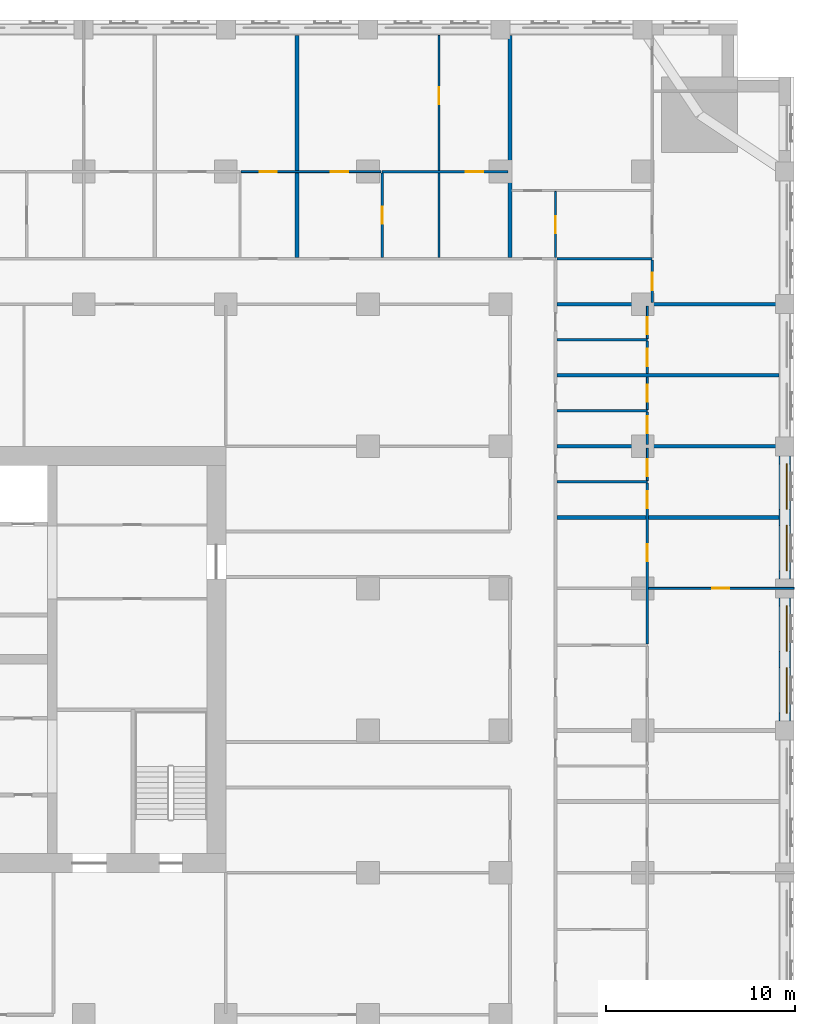
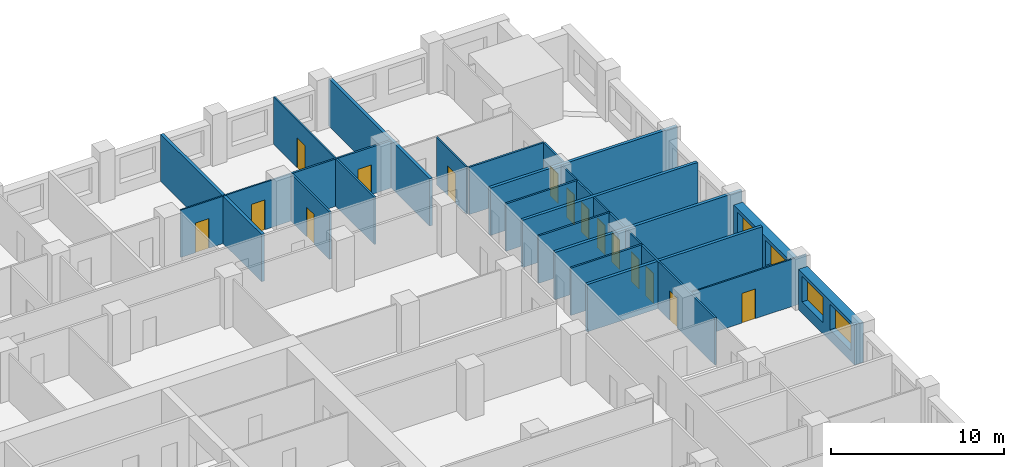
# One storey, part 10 of 14: 26 walls, 15 doors, 4 windows, 19 openings.
"""IFC4 building model written with IfcOpenShell, lengths in metres."""

from ifc_helpers import new_model, si_unit, direction, frame, frame_2d, origin, place, context, subcontext, project, spatial, rectangle, extrude, material, layer, layer_set, type_object, element, fill, save


model = new_model("IFC4")

# Units and contexts
model_context = context("Model", 3, precision=1e-05, world=origin(), true_north=direction((0.0, 1.0)))
body_context = subcontext(model_context, "Body", "Model", "MODEL_VIEW")
ifc_project = project(units=[si_unit("LENGTHUNIT", "METRE"), si_unit("AREAUNIT", "SQUARE_METRE"), si_unit("VOLUMEUNIT", "CUBIC_METRE"), si_unit("PLANEANGLEUNIT", "RADIAN"), si_unit("MASSUNIT", "GRAM", prefix="KILO")], contexts=[model_context])

# Site, building, storey
site_placement = place(None, origin())
site = spatial("IfcSite", under=ifc_project, at=site_placement, CompositionType="ELEMENT")
building_placement = place(site_placement, origin())
building = spatial("IfcBuilding", under=site, at=building_placement, Name="Tamorin Gate", CompositionType="ELEMENT")
storey_placement = place(building_placement, frame((0.0, 0.0, 41.199951171875)))
storey = spatial("IfcBuildingStorey", under=building, at=storey_placement, Name="L08", CompositionType="ELEMENT", Elevation=41.199951171875)

# Wall, openings, windows
ifc_material_1 = material(Name="Precast concrete C40/50", Category="concrete")
ifc_layer_1 = layer(ifc_material_1, 0.60009765625)
ifc_layer_set_1 = layer_set([ifc_layer_1], Name="Precast concrete C40/50")
wall_type_1 = type_object("IfcWallType", Name="Board-marked concrete facade panel 600", PredefinedType="SOLIDWALL", material=ifc_layer_set_1)
wall_1_placement = place(storey_placement, frame((89.5, 68.0, 0.0), z_axis=(0.0, 0.0, 1.0), x_axis=(0.0, 1.0, 0.0)))
wall_1 = element("IfcWall", 1, at=wall_1_placement, inside=storey, type_object=wall_type_1, Name="Facade panel", PredefinedType="SOLIDWALL", context=body_context, shape_type="SweptSolid", body=[
    extrude(rectangle(XDim=6.5, YDim=0.60009765625, at=frame_2d((3.25, 0.0))), origin(), (0.0, 0.0, 1.0), 2.85009765625),
])
opening_1_placement = place(wall_1_placement, frame((0.425048828125, 0.0, 0.800048828125)))
opening_1 = element("IfcOpeningElement", 2, at=opening_1_placement, cuts=wall_1, Name="Opening WN1", PredefinedType="OPENING", context=body_context, shape_type="SweptSolid", body=[
    extrude(rectangle(XDim=2.39990234375, YDim=1.800048828125, at=frame_2d((1.199951171875, 0.89990234375))), frame((0.0, 0.31005859375, 0.0), z_axis=(0.0, -1.0, 0.0), x_axis=(1.0, 0.0, 0.0)), (0.0, 0.0, 1.0), 0.6201171875),
])
opening_2_placement = place(wall_1_placement, frame((3.675048828125, 0.0, 0.800048828125)))
opening_2 = element("IfcOpeningElement", 3, at=opening_2_placement, cuts=wall_1, Name="Opening WN1", PredefinedType="OPENING", context=body_context, shape_type="SweptSolid", body=[
    extrude(rectangle(XDim=2.39990234375, YDim=1.800048828125, at=frame_2d((1.199951171875, 0.89990234375))), frame((0.0, 0.31005859375, 0.0), z_axis=(0.0, -1.0, 0.0), x_axis=(1.0, 0.0, 0.0)), (0.0, 0.0, 1.0), 0.6201171875),
])
ifc_material_2 = material(Name="Clear glass in aluminium frame", Category="aluminium")
window_type = type_object("IfcWindowType", Name="Deep-set window 2400x1800", PartitioningType="SINGLE_PANEL", PredefinedType="WINDOW", material=ifc_material_2)
window_1_placement = place(opening_1_placement, origin())
window_1 = element("IfcWindow", 4, at=window_1_placement, inside=storey, type_object=window_type, Name="Deep-set window", OverallHeight=1.800048828125, OverallWidth=2.39990234375, PartitioningType="SINGLE_PANEL", PredefinedType="WINDOW", context=body_context, shape_type="SweptSolid", body=[
    extrude(rectangle(XDim=2.39990234375, YDim=1.800048828125, at=frame_2d((1.199951171875, 0.89990234375))), frame((0.0, -0.070068359375, 0.0), z_axis=(0.0, -1.0, 0.0), x_axis=(1.0, 0.0, 0.0)), (0.0, 0.0, 1.0), 0.06005859375),
])
fill(opening_1, window_1)
window_2_placement = place(opening_2_placement, origin())
window_2 = element("IfcWindow", 5, at=window_2_placement, inside=storey, type_object=window_type, Name="Deep-set window", OverallHeight=1.800048828125, OverallWidth=2.39990234375, PartitioningType="SINGLE_PANEL", PredefinedType="WINDOW", context=body_context, shape_type="SweptSolid", body=[
    extrude(rectangle(XDim=2.39990234375, YDim=1.800048828125, at=frame_2d((1.199951171875, 0.89990234375))), frame((0.0, -0.070068359375, 0.0), z_axis=(0.0, -1.0, 0.0), x_axis=(1.0, 0.0, 0.0)), (0.0, 0.0, 1.0), 0.06005859375),
])
fill(opening_2, window_2)

wall_2_placement = place(storey_placement, frame((89.5, 75.5, 0.0), z_axis=(0.0, 0.0, 1.0), x_axis=(0.0, 1.0, 0.0)))
wall_2 = element("IfcWall", 6, at=wall_2_placement, inside=storey, type_object=wall_type_1, Name="Facade panel", PredefinedType="SOLIDWALL", context=body_context, shape_type="SweptSolid", body=[
    extrude(rectangle(XDim=6.5, YDim=0.60009765625, at=frame_2d((3.25, 0.0))), origin(), (0.0, 0.0, 1.0), 2.85009765625),
])
opening_3_placement = place(wall_2_placement, frame((0.425048828125, 0.0, 0.800048828125)))
opening_3 = element("IfcOpeningElement", 7, at=opening_3_placement, cuts=wall_2, Name="Opening WN1", PredefinedType="OPENING", context=body_context, shape_type="SweptSolid", body=[
    extrude(rectangle(XDim=2.39990234375, YDim=1.800048828125, at=frame_2d((1.199951171875, 0.89990234375))), frame((0.0, 0.31005859375, 0.0), z_axis=(0.0, -1.0, 0.0), x_axis=(1.0, 0.0, 0.0)), (0.0, 0.0, 1.0), 0.6201171875),
])
opening_4_placement = place(wall_2_placement, frame((3.675048828125, 0.0, 0.800048828125)))
opening_4 = element("IfcOpeningElement", 8, at=opening_4_placement, cuts=wall_2, Name="Opening WN1", PredefinedType="OPENING", context=body_context, shape_type="SweptSolid", body=[
    extrude(rectangle(XDim=2.39990234375, YDim=1.800048828125, at=frame_2d((1.199951171875, 0.89990234375))), frame((0.0, 0.31005859375, 0.0), z_axis=(0.0, -1.0, 0.0), x_axis=(1.0, 0.0, 0.0)), (0.0, 0.0, 1.0), 0.6201171875),
])
window_3_placement = place(opening_3_placement, origin())
window_3 = element("IfcWindow", 9, at=window_3_placement, inside=storey, type_object=window_type, Name="Deep-set window", OverallHeight=1.800048828125, OverallWidth=2.39990234375, PartitioningType="SINGLE_PANEL", PredefinedType="WINDOW", context=body_context, shape_type="SweptSolid", body=[
    extrude(rectangle(XDim=2.39990234375, YDim=1.800048828125, at=frame_2d((1.199951171875, 0.89990234375))), frame((0.0, -0.070068359375, 0.0), z_axis=(0.0, -1.0, 0.0), x_axis=(1.0, 0.0, 0.0)), (0.0, 0.0, 1.0), 0.06005859375),
])
fill(opening_3, window_3)
window_4_placement = place(opening_4_placement, origin())
window_4 = element("IfcWindow", 10, at=window_4_placement, inside=storey, type_object=window_type, Name="Deep-set window", OverallHeight=1.800048828125, OverallWidth=2.39990234375, PartitioningType="SINGLE_PANEL", PredefinedType="WINDOW", context=body_context, shape_type="SweptSolid", body=[
    extrude(rectangle(XDim=2.39990234375, YDim=1.800048828125, at=frame_2d((1.199951171875, 0.89990234375))), frame((0.0, -0.070068359375, 0.0), z_axis=(0.0, -1.0, 0.0), x_axis=(1.0, 0.0, 0.0)), (0.0, 0.0, 1.0), 0.06005859375),
])
fill(opening_4, window_4)

# Walls
ifc_material_3 = material(Name="Gypsum board partition")
ifc_layer_2 = layer(ifc_material_3, 0.199951171875)
ifc_layer_set_2 = layer_set([ifc_layer_2], Name="Demising wall 200")
wall_type_2 = type_object("IfcWallType", Name="Demising wall 200", PredefinedType="PARTITIONING", material=ifc_layer_set_2)
wall_3_placement = place(storey_placement, frame((77.47509765625, 78.75, 0.0), z_axis=(0.0, 0.0, 1.0), x_axis=(1.0, 0.0, 0.0)))
element("IfcWall", 11, at=wall_3_placement, inside=storey, type_object=wall_type_2, Name="Demising wall 200", PredefinedType="PARTITIONING", context=body_context, shape_type="SweptSolid", body=[
    extrude(rectangle(XDim=11.71484375, YDim=0.199951171875, at=frame_2d((5.857421875, 0.0))), origin(), (0.0, 0.0, 1.0), 3.35009765625),
])
wall_4_placement = place(storey_placement, frame((77.47509765625, 82.5, 0.0), z_axis=(0.0, 0.0, 1.0), x_axis=(1.0, 0.0, 0.0)))
element("IfcWall", 12, at=wall_4_placement, inside=storey, type_object=wall_type_2, Name="Demising wall 200", PredefinedType="PARTITIONING", context=body_context, shape_type="SweptSolid", body=[
    extrude(rectangle(XDim=12.52490234375, YDim=0.199951171875, at=frame_2d((6.262451171875, 0.0))), origin(), (0.0, 0.0, 1.0), 3.35009765625),
])
wall_5_placement = place(storey_placement, frame((77.47509765625, 86.25, 0.0), z_axis=(0.0, 0.0, 1.0), x_axis=(1.0, 0.0, 0.0)))
element("IfcWall", 13, at=wall_5_placement, inside=storey, type_object=wall_type_2, Name="Demising wall 200", PredefinedType="PARTITIONING", context=body_context, shape_type="SweptSolid", body=[
    extrude(rectangle(XDim=11.71484375, YDim=0.199951171875, at=frame_2d((5.857421875, 0.0))), origin(), (0.0, 0.0, 1.0), 3.35009765625),
])
wall_6_placement = place(storey_placement, frame((77.47509765625, 90.0, 0.0), z_axis=(0.0, 0.0, 1.0), x_axis=(1.0, 0.0, 0.0)))
element("IfcWall", 14, at=wall_6_placement, inside=storey, type_object=wall_type_2, Name="Demising wall 200", PredefinedType="PARTITIONING", context=body_context, shape_type="SweptSolid", body=[
    extrude(rectangle(XDim=12.52490234375, YDim=0.199951171875, at=frame_2d((6.262451171875, 0.0))), origin(), (0.0, 0.0, 1.0), 3.35009765625),
])
for number, where, z_axis, x_axis, name in (
    (15, (63.75, 92.47509765625, 0.0), (0.0, 0.0, 1.0), (0.0, 1.0, 0.0), "Demising wall 200"),
    (16, (75.0, 92.47509765625, 0.0), (0.0, 0.0, 1.0), (0.0, 1.0, 0.0), "Demising wall 200"),
):
    element("IfcWall", number, at=place(storey_placement, frame(where, z_axis=z_axis, x_axis=x_axis)), inside=storey, type_object=wall_type_2, Name=name, PredefinedType="PARTITIONING", context=body_context, shape_type="SweptSolid", body=[
        extrude(rectangle(XDim=11.71484375, YDim=0.199951171875, at=frame_2d((5.857421875, 0.0))), origin(), (0.0, 0.0, 1.0), 3.35009765625),
    ])

# Wall, opening, door
ifc_layer_3 = layer(ifc_material_3, 0.10009765625)
ifc_layer_set_3 = layer_set([ifc_layer_3], Name="Room partition 100")
wall_type_3 = type_object("IfcWallType", Name="Room partition 100", PredefinedType="PARTITIONING", material=ifc_layer_set_3)
wall_7_placement = place(storey_placement, frame((82.3125, 75.0, 0.0), z_axis=(0.0, 0.0, 1.0), x_axis=(1.0, 0.0, 0.0)))
wall_7 = element("IfcWall", 17, at=wall_7_placement, inside=storey, type_object=wall_type_3, Name="Room partition 100", PredefinedType="PARTITIONING", context=body_context, shape_type="SweptSolid", body=[
    extrude(rectangle(XDim=7.6875, YDim=0.10009765625, at=frame_2d((3.84375, 0.0))), origin(), (0.0, 0.0, 1.0), 3.35009765625),
])
opening_5_placement = place(wall_7_placement, frame((3.362548828125, 0.0, 0.0)))
opening_5 = element("IfcOpeningElement", 18, at=opening_5_placement, cuts=wall_7, Name="Opening DH3051", PredefinedType="OPENING", context=body_context, shape_type="SweptSolid", body=[
    extrude(rectangle(XDim=0.89990234375, YDim=2.10009765625, at=frame_2d((0.449951171875, 1.050048828125))), frame((0.0, 0.06005859375, 0.0), z_axis=(0.0, -1.0, 0.0), x_axis=(1.0, 0.0, 0.0)), (0.0, 0.0, 1.0), 0.1201171875),
])
ifc_material_4 = material(Name="Timber door leaf", Category="wood")
door_type = type_object("IfcDoorType", Name="Door 900 x 2100", OperationType="NOTDEFINED", PredefinedType="DOOR", material=ifc_material_4)
door_1_placement = place(opening_5_placement, origin())
door_1 = element("IfcDoor", 19, at=door_1_placement, inside=storey, type_object=door_type, Name="Door DH3051", OperationType="SINGLE_SWING_RIGHT", OverallHeight=2.10009765625, OverallWidth=0.89990234375, PredefinedType="DOOR", context=body_context, shape_type="SweptSolid", body=[
    extrude(rectangle(XDim=0.89990234375, YDim=2.10009765625, at=frame_2d((0.449951171875, 1.050048828125))), frame((0.0, 0.02490234375, 0.0), z_axis=(0.0, -1.0, 0.0), x_axis=(1.0, 0.0, 0.0)), (0.0, 0.0, 1.0), 0.050048828125),
])
fill(opening_5, door_1)

# Wall, openings, doors
wall_8_placement = place(storey_placement, frame((60.8125, 97.0, 0.0), z_axis=(0.0, 0.0, 1.0), x_axis=(1.0, 0.0, 0.0)))
wall_8 = element("IfcWall", 20, at=wall_8_placement, inside=storey, type_object=wall_type_3, Name="Room partition 100", PredefinedType="PARTITIONING", context=body_context, shape_type="SweptSolid", body=[
    extrude(rectangle(XDim=7.375, YDim=0.10009765625, at=frame_2d((3.6875, 0.0))), origin(), (0.0, 0.0, 1.0), 3.35009765625),
])
opening_6_placement = place(wall_8_placement, frame((0.987548828125, 0.0, 0.0)))
opening_6 = element("IfcOpeningElement", 21, at=opening_6_placement, cuts=wall_8, Name="Opening DH3033", PredefinedType="OPENING", context=body_context, shape_type="SweptSolid", body=[
    extrude(rectangle(XDim=0.89990234375, YDim=2.10009765625, at=frame_2d((0.449951171875, 1.050048828125))), frame((0.0, 0.06005859375, 0.0), z_axis=(0.0, -1.0, 0.0), x_axis=(1.0, 0.0, 0.0)), (0.0, 0.0, 1.0), 0.1201171875),
])
opening_7_placement = place(wall_8_placement, frame((4.737548828125, 0.0, 0.0)))
opening_7 = element("IfcOpeningElement", 22, at=opening_7_placement, cuts=wall_8, Name="Opening DH3035", PredefinedType="OPENING", context=body_context, shape_type="SweptSolid", body=[
    extrude(rectangle(XDim=0.89990234375, YDim=2.10009765625, at=frame_2d((0.449951171875, 1.050048828125))), frame((0.0, 0.06005859375, 0.0), z_axis=(0.0, -1.0, 0.0), x_axis=(1.0, 0.0, 0.0)), (0.0, 0.0, 1.0), 0.1201171875),
])
door_2_placement = place(opening_6_placement, origin())
door_2 = element("IfcDoor", 23, at=door_2_placement, inside=storey, type_object=door_type, Name="Door DH3033", OperationType="SINGLE_SWING_RIGHT", OverallHeight=2.10009765625, OverallWidth=0.89990234375, PredefinedType="DOOR", context=body_context, shape_type="SweptSolid", body=[
    extrude(rectangle(XDim=0.89990234375, YDim=2.10009765625, at=frame_2d((0.449951171875, 1.050048828125))), frame((0.0, 0.02490234375, 0.0), z_axis=(0.0, -1.0, 0.0), x_axis=(1.0, 0.0, 0.0)), (0.0, 0.0, 1.0), 0.050048828125),
])
fill(opening_6, door_2)
door_3_placement = place(opening_7_placement, origin())
door_3 = element("IfcDoor", 24, at=door_3_placement, inside=storey, type_object=door_type, Name="Door DH3035", OperationType="SINGLE_SWING_RIGHT", OverallHeight=2.10009765625, OverallWidth=0.89990234375, PredefinedType="DOOR", context=body_context, shape_type="SweptSolid", body=[
    extrude(rectangle(XDim=0.89990234375, YDim=2.10009765625, at=frame_2d((0.449951171875, 1.050048828125))), frame((0.0, 0.02490234375, 0.0), z_axis=(0.0, -1.0, 0.0), x_axis=(1.0, 0.0, 0.0)), (0.0, 0.0, 1.0), 0.050048828125),
])
fill(opening_7, door_3)

# Wall, opening, door
wall_9_placement = place(storey_placement, frame((71.25, 97.0625, 0.0), z_axis=(0.0, 0.0, 1.0), x_axis=(0.0, 1.0, 0.0)))
wall_9 = element("IfcWall", 25, at=wall_9_placement, inside=storey, type_object=wall_type_3, Name="Room partition 100", PredefinedType="PARTITIONING", context=body_context, shape_type="SweptSolid", body=[
    extrude(rectangle(XDim=7.12744140625, YDim=0.10009765625, at=frame_2d((3.563720703125, 0.0))), origin(), (0.0, 0.0, 1.0), 3.35009765625),
])
opening_8_placement = place(wall_9_placement, frame((3.487548828125, 0.0, 0.0)))
opening_8 = element("IfcOpeningElement", 26, at=opening_8_placement, cuts=wall_9, Name="Opening DH3038", PredefinedType="OPENING", context=body_context, shape_type="SweptSolid", body=[
    extrude(rectangle(XDim=0.89990234375, YDim=2.10009765625, at=frame_2d((0.449951171875, 1.050048828125))), frame((0.0, 0.06005859375, 0.0), z_axis=(0.0, -1.0, 0.0), x_axis=(1.0, 0.0, 0.0)), (0.0, 0.0, 1.0), 0.1201171875),
])
door_4_placement = place(opening_8_placement, origin())
door_4 = element("IfcDoor", 27, at=door_4_placement, inside=storey, type_object=door_type, Name="Door DH3038", OperationType="SINGLE_SWING_LEFT", OverallHeight=2.10009765625, OverallWidth=0.89990234375, PredefinedType="DOOR", context=body_context, shape_type="SweptSolid", body=[
    extrude(rectangle(XDim=0.89990234375, YDim=2.10009765625, at=frame_2d((0.449951171875, 1.050048828125))), frame((0.0, 0.02490234375, 0.0), z_axis=(0.0, -1.0, 0.0), x_axis=(1.0, 0.0, 0.0)), (0.0, 0.0, 1.0), 0.050048828125),
])
fill(opening_8, door_4)

wall_10_placement = place(storey_placement, frame((77.39990234375, 92.47509765625, 0.0), z_axis=(0.0, 0.0, 1.0), x_axis=(0.0, 1.0, 0.0)))
wall_10 = element("IfcWall", 28, at=wall_10_placement, inside=storey, type_object=wall_type_3, Name="Room partition 100", PredefinedType="PARTITIONING", context=body_context, shape_type="SweptSolid", body=[
    extrude(rectangle(XDim=3.474853515625, YDim=0.10009765625, at=frame_2d((1.7373046875, 0.0))), origin(), (0.0, 0.0, 1.0), 3.35009765625),
])
opening_9_placement = place(wall_10_placement, frame((1.27490234375, 0.0, 0.0)))
opening_9 = element("IfcOpeningElement", 29, at=opening_9_placement, cuts=wall_10, Name="Opening DH3069", PredefinedType="OPENING", context=body_context, shape_type="SweptSolid", body=[
    extrude(rectangle(XDim=0.89990234375, YDim=2.10009765625, at=frame_2d((0.449951171875, 1.050048828125))), frame((0.0, 0.06005859375, 0.0), z_axis=(0.0, -1.0, 0.0), x_axis=(1.0, 0.0, 0.0)), (0.0, 0.0, 1.0), 0.1201171875),
])
door_5_placement = place(opening_9_placement, origin())
door_5 = element("IfcDoor", 30, at=door_5_placement, inside=storey, type_object=door_type, Name="Door DH3069", OperationType="SINGLE_SWING_RIGHT", OverallHeight=2.10009765625, OverallWidth=0.89990234375, PredefinedType="DOOR", context=body_context, shape_type="SweptSolid", body=[
    extrude(rectangle(XDim=0.89990234375, YDim=2.10009765625, at=frame_2d((0.449951171875, 1.050048828125))), frame((0.0, 0.02490234375, 0.0), z_axis=(0.0, -1.0, 0.0), x_axis=(1.0, 0.0, 0.0)), (0.0, 0.0, 1.0), 0.050048828125),
])
fill(opening_9, door_5)

wall_11_placement = place(storey_placement, frame((82.25, 80.6875, 0.0), z_axis=(0.0, 0.0, 1.0), x_axis=(0.0, 1.0, 0.0)))
wall_11 = element("IfcWall", 31, at=wall_11_placement, inside=storey, type_object=wall_type_3, Name="Room partition 100", PredefinedType="PARTITIONING", context=body_context, shape_type="SweptSolid", body=[
    extrude(rectangle(XDim=1.71240234375, YDim=0.10009765625, at=frame_2d((0.856201171875, 0.0))), origin(), (0.0, 0.0, 1.0), 3.35009765625),
])
opening_10_placement = place(wall_11_placement, frame((0.22509765625, 0.0, 0.0)))
opening_10 = element("IfcOpeningElement", 32, at=opening_10_placement, cuts=wall_11, Name="Opening DH3054", PredefinedType="OPENING", context=body_context, shape_type="SweptSolid", body=[
    extrude(rectangle(XDim=0.89990234375, YDim=2.10009765625, at=frame_2d((0.449951171875, 1.050048828125))), frame((0.0, 0.06005859375, 0.0), z_axis=(0.0, -1.0, 0.0), x_axis=(1.0, 0.0, 0.0)), (0.0, 0.0, 1.0), 0.1201171875),
])
door_6_placement = place(opening_10_placement, origin())
door_6 = element("IfcDoor", 33, at=door_6_placement, inside=storey, type_object=door_type, Name="Door DH3054", OperationType="SINGLE_SWING_LEFT", OverallHeight=2.10009765625, OverallWidth=0.89990234375, PredefinedType="DOOR", context=body_context, shape_type="SweptSolid", body=[
    extrude(rectangle(XDim=0.89990234375, YDim=2.10009765625, at=frame_2d((0.449951171875, 1.050048828125))), frame((0.0, 0.02490234375, 0.0), z_axis=(0.0, -1.0, 0.0), x_axis=(1.0, 0.0, 0.0)), (0.0, 0.0, 1.0), 0.050048828125),
])
fill(opening_10, door_6)

wall_12_placement = place(storey_placement, frame((82.25, 84.4375, 0.0), z_axis=(0.0, 0.0, 1.0), x_axis=(0.0, 1.0, 0.0)))
wall_12 = element("IfcWall", 34, at=wall_12_placement, inside=storey, type_object=wall_type_3, Name="Room partition 100", PredefinedType="PARTITIONING", context=body_context, shape_type="SweptSolid", body=[
    extrude(rectangle(XDim=1.71240234375, YDim=0.10009765625, at=frame_2d((0.856201171875, 0.0))), origin(), (0.0, 0.0, 1.0), 3.35009765625),
])
opening_11_placement = place(wall_12_placement, frame((0.425048828125, 0.0, 0.0)))
opening_11 = element("IfcOpeningElement", 35, at=opening_11_placement, cuts=wall_12, Name="Opening DH3057", PredefinedType="OPENING", context=body_context, shape_type="SweptSolid", body=[
    extrude(rectangle(XDim=0.89990234375, YDim=2.10009765625, at=frame_2d((0.449951171875, 1.050048828125))), frame((0.0, 0.06005859375, 0.0), z_axis=(0.0, -1.0, 0.0), x_axis=(1.0, 0.0, 0.0)), (0.0, 0.0, 1.0), 0.1201171875),
])
door_7_placement = place(opening_11_placement, origin())
door_7 = element("IfcDoor", 36, at=door_7_placement, inside=storey, type_object=door_type, Name="Door DH3057", OperationType="SINGLE_SWING_LEFT", OverallHeight=2.10009765625, OverallWidth=0.89990234375, PredefinedType="DOOR", context=body_context, shape_type="SweptSolid", body=[
    extrude(rectangle(XDim=0.89990234375, YDim=2.10009765625, at=frame_2d((0.449951171875, 1.050048828125))), frame((0.0, 0.02490234375, 0.0), z_axis=(0.0, -1.0, 0.0), x_axis=(1.0, 0.0, 0.0)), (0.0, 0.0, 1.0), 0.050048828125),
])
fill(opening_11, door_7)

wall_13_placement = place(storey_placement, frame((82.25, 88.1875, 0.0), z_axis=(0.0, 0.0, 1.0), x_axis=(0.0, 1.0, 0.0)))
wall_13 = element("IfcWall", 37, at=wall_13_placement, inside=storey, type_object=wall_type_3, Name="Room partition 100", PredefinedType="PARTITIONING", context=body_context, shape_type="SweptSolid", body=[
    extrude(rectangle(XDim=1.71240234375, YDim=0.10009765625, at=frame_2d((0.856201171875, 0.0))), origin(), (0.0, 0.0, 1.0), 3.35009765625),
])
opening_12_placement = place(wall_13_placement, frame((0.22509765625, 0.0, 0.0)))
opening_12 = element("IfcOpeningElement", 38, at=opening_12_placement, cuts=wall_13, Name="Opening DH3060", PredefinedType="OPENING", context=body_context, shape_type="SweptSolid", body=[
    extrude(rectangle(XDim=0.89990234375, YDim=2.10009765625, at=frame_2d((0.449951171875, 1.050048828125))), frame((0.0, 0.06005859375, 0.0), z_axis=(0.0, -1.0, 0.0), x_axis=(1.0, 0.0, 0.0)), (0.0, 0.0, 1.0), 0.1201171875),
])
door_8_placement = place(opening_12_placement, origin())
door_8 = element("IfcDoor", 39, at=door_8_placement, inside=storey, type_object=door_type, Name="Door DH3060", OperationType="SINGLE_SWING_LEFT", OverallHeight=2.10009765625, OverallWidth=0.89990234375, PredefinedType="DOOR", context=body_context, shape_type="SweptSolid", body=[
    extrude(rectangle(XDim=0.89990234375, YDim=2.10009765625, at=frame_2d((0.449951171875, 1.050048828125))), frame((0.0, 0.02490234375, 0.0), z_axis=(0.0, -1.0, 0.0), x_axis=(1.0, 0.0, 0.0)), (0.0, 0.0, 1.0), 0.050048828125),
])
fill(opening_12, door_8)

# Walls
ifc_layer_4 = layer(ifc_material_3, 0.125)
ifc_layer_set_4 = layer_set([ifc_layer_4], Name="Wet wall 125")
wall_type_4 = type_object("IfcWallType", Name="Wet wall 125", PredefinedType="PARTITIONING", material=ifc_layer_set_4)
for number, where, z_axis, x_axis, name in (
    (40, (77.47509765625, 80.625, 0.0), (0.0, 0.0, 1.0), (1.0, 0.0, 0.0), "Wet wall 125"),
    (41, (77.47509765625, 84.375, 0.0), (0.0, 0.0, 1.0), (1.0, 0.0, 0.0), "Wet wall 125"),
    (42, (77.47509765625, 88.125, 0.0), (0.0, 0.0, 1.0), (1.0, 0.0, 0.0), "Wet wall 125"),
):
    element("IfcWall", number, at=place(storey_placement, frame(where, z_axis=z_axis, x_axis=x_axis)), inside=storey, type_object=wall_type_4, Name=name, PredefinedType="PARTITIONING", context=body_context, shape_type="SweptSolid", body=[
        extrude(rectangle(XDim=4.77490234375, YDim=0.125, at=frame_2d((2.387451171875, 0.0))), origin(), (0.0, 0.0, 1.0), 3.35009765625),
    ])
wall_14_placement = place(storey_placement, frame((77.47509765625, 92.39990234375, 0.0), z_axis=(0.0, 0.0, 1.0), x_axis=(1.0, 0.0, 0.0)))
element("IfcWall", 43, at=wall_14_placement, inside=storey, type_object=wall_type_4, Name="Wet wall 125", PredefinedType="PARTITIONING", context=body_context, shape_type="SweptSolid", body=[
    extrude(rectangle(XDim=5.02490234375, YDim=0.125, at=frame_2d((2.512451171875, 0.0))), origin(), (0.0, 0.0, 1.0), 3.35009765625),
])

# Wall, opening, door
wall_15_placement = place(storey_placement, frame((68.25, 97.0, 0.0), z_axis=(0.0, 0.0, 1.0), x_axis=(1.0, 0.0, 0.0)))
wall_15 = element("IfcWall", 44, at=wall_15_placement, inside=storey, type_object=wall_type_4, Name="Wet wall 125", PredefinedType="PARTITIONING", context=body_context, shape_type="SweptSolid", body=[
    extrude(rectangle(XDim=6.64990234375, YDim=0.125, at=frame_2d((3.324951171875, 0.0))), origin(), (0.0, 0.0, 1.0), 3.35009765625),
])
opening_13_placement = place(wall_15_placement, frame((4.425048828125, 0.0, 0.0)))
opening_13 = element("IfcOpeningElement", 45, at=opening_13_placement, cuts=wall_15, Name="Opening DH3037", PredefinedType="OPENING", context=body_context, shape_type="SweptSolid", body=[
    extrude(rectangle(XDim=0.89990234375, YDim=2.10009765625, at=frame_2d((0.449951171875, 1.050048828125))), frame((0.0, 0.072509765625, 0.0), z_axis=(0.0, -1.0, 0.0), x_axis=(1.0, 0.0, 0.0)), (0.0, 0.0, 1.0), 0.14501953125),
])
door_9_placement = place(opening_13_placement, origin())
door_9 = element("IfcDoor", 46, at=door_9_placement, inside=storey, type_object=door_type, Name="Door DH3037", OperationType="SINGLE_SWING_RIGHT", OverallHeight=2.10009765625, OverallWidth=0.89990234375, PredefinedType="DOOR", context=body_context, shape_type="SweptSolid", body=[
    extrude(rectangle(XDim=0.89990234375, YDim=2.10009765625, at=frame_2d((0.449951171875, 1.050048828125))), frame((0.0, 0.02490234375, 0.0), z_axis=(0.0, -1.0, 0.0), x_axis=(1.0, 0.0, 0.0)), (0.0, 0.0, 1.0), 0.050048828125),
])
fill(opening_13, door_9)

wall_16_placement = place(storey_placement, frame((68.25, 92.47509765625, 0.0), z_axis=(0.0, 0.0, 1.0), x_axis=(0.0, 1.0, 0.0)))
wall_16 = element("IfcWall", 47, at=wall_16_placement, inside=storey, type_object=wall_type_4, Name="Wet wall 125", PredefinedType="PARTITIONING", context=body_context, shape_type="SweptSolid", body=[
    extrude(rectangle(XDim=4.46240234375, YDim=0.125, at=frame_2d((2.231201171875, 0.0))), origin(), (0.0, 0.0, 1.0), 3.35009765625),
])
opening_14_placement = place(wall_16_placement, frame((1.77490234375, 0.0, 0.0)))
opening_14 = element("IfcOpeningElement", 48, at=opening_14_placement, cuts=wall_16, Name="Opening DH3036", PredefinedType="OPENING", context=body_context, shape_type="SweptSolid", body=[
    extrude(rectangle(XDim=0.89990234375, YDim=2.10009765625, at=frame_2d((0.449951171875, 1.050048828125))), frame((0.0, 0.072509765625, 0.0), z_axis=(0.0, -1.0, 0.0), x_axis=(1.0, 0.0, 0.0)), (0.0, 0.0, 1.0), 0.14501953125),
])
door_10_placement = place(opening_14_placement, origin())
door_10 = element("IfcDoor", 49, at=door_10_placement, inside=storey, type_object=door_type, Name="Door DH3036", OperationType="SINGLE_SWING_LEFT", OverallHeight=2.10009765625, OverallWidth=0.89990234375, PredefinedType="DOOR", context=body_context, shape_type="SweptSolid", body=[
    extrude(rectangle(XDim=0.89990234375, YDim=2.10009765625, at=frame_2d((0.449951171875, 1.050048828125))), frame((0.0, 0.02490234375, 0.0), z_axis=(0.0, -1.0, 0.0), x_axis=(1.0, 0.0, 0.0)), (0.0, 0.0, 1.0), 0.050048828125),
])
fill(opening_14, door_10)

# Wall
wall_17_placement = place(storey_placement, frame((71.25, 92.47509765625, 0.0), z_axis=(0.0, 0.0, 1.0), x_axis=(0.0, 1.0, 0.0)))
element("IfcWall", 50, at=wall_17_placement, inside=storey, type_object=wall_type_4, Name="Wet wall 125", PredefinedType="PARTITIONING", context=body_context, shape_type="SweptSolid", body=[
    extrude(rectangle(XDim=4.46240234375, YDim=0.125, at=frame_2d((2.231201171875, 0.0))), origin(), (0.0, 0.0, 1.0), 3.35009765625),
])

# Wall, openings, doors
wall_18_placement = place(storey_placement, frame((82.25, 72.0625, 0.0), z_axis=(0.0, 0.0, 1.0), x_axis=(0.0, 1.0, 0.0)))
wall_18 = element("IfcWall", 51, at=wall_18_placement, inside=storey, type_object=wall_type_4, Name="Wet wall 125", PredefinedType="PARTITIONING", context=body_context, shape_type="SweptSolid", body=[
    extrude(rectangle(XDim=8.5, YDim=0.125, at=frame_2d((4.25, 0.0))), origin(), (0.0, 0.0, 1.0), 3.35009765625),
])
opening_15_placement = place(wall_18_placement, frame((4.362548828125, 0.0, 0.0)))
opening_15 = element("IfcOpeningElement", 52, at=opening_15_placement, cuts=wall_18, Name="Opening DH3050", PredefinedType="OPENING", context=body_context, shape_type="SweptSolid", body=[
    extrude(rectangle(XDim=0.89990234375, YDim=2.10009765625, at=frame_2d((0.449951171875, 1.050048828125))), frame((0.0, 0.072509765625, 0.0), z_axis=(0.0, -1.0, 0.0), x_axis=(1.0, 0.0, 0.0)), (0.0, 0.0, 1.0), 0.14501953125),
])
opening_16_placement = place(wall_18_placement, frame((7.175048828125, 0.0, 0.0)))
opening_16 = element("IfcOpeningElement", 53, at=opening_16_placement, cuts=wall_18, Name="Opening DH3052", PredefinedType="OPENING", context=body_context, shape_type="SweptSolid", body=[
    extrude(rectangle(XDim=0.89990234375, YDim=2.10009765625, at=frame_2d((0.449951171875, 1.050048828125))), frame((0.0, 0.072509765625, 0.0), z_axis=(0.0, -1.0, 0.0), x_axis=(1.0, 0.0, 0.0)), (0.0, 0.0, 1.0), 0.14501953125),
])
door_11_placement = place(opening_15_placement, origin())
door_11 = element("IfcDoor", 54, at=door_11_placement, inside=storey, type_object=door_type, Name="Door DH3050", OperationType="SINGLE_SWING_LEFT", OverallHeight=2.10009765625, OverallWidth=0.89990234375, PredefinedType="DOOR", context=body_context, shape_type="SweptSolid", body=[
    extrude(rectangle(XDim=0.89990234375, YDim=2.10009765625, at=frame_2d((0.449951171875, 1.050048828125))), frame((0.0, 0.02490234375, 0.0), z_axis=(0.0, -1.0, 0.0), x_axis=(1.0, 0.0, 0.0)), (0.0, 0.0, 1.0), 0.050048828125),
])
fill(opening_15, door_11)
door_12_placement = place(opening_16_placement, origin())
door_12 = element("IfcDoor", 55, at=door_12_placement, inside=storey, type_object=door_type, Name="Door DH3052", OperationType="SINGLE_SWING_LEFT", OverallHeight=2.10009765625, OverallWidth=0.89990234375, PredefinedType="DOOR", context=body_context, shape_type="SweptSolid", body=[
    extrude(rectangle(XDim=0.89990234375, YDim=2.10009765625, at=frame_2d((0.449951171875, 1.050048828125))), frame((0.0, 0.02490234375, 0.0), z_axis=(0.0, -1.0, 0.0), x_axis=(1.0, 0.0, 0.0)), (0.0, 0.0, 1.0), 0.050048828125),
])
fill(opening_16, door_12)

# Wall, opening, door
wall_19_placement = place(storey_placement, frame((82.25, 82.60009765625, 0.0), z_axis=(0.0, 0.0, 1.0), x_axis=(0.0, 1.0, 0.0)))
wall_19 = element("IfcWall", 56, at=wall_19_placement, inside=storey, type_object=wall_type_4, Name="Wet wall 125", PredefinedType="PARTITIONING", context=body_context, shape_type="SweptSolid", body=[
    extrude(rectangle(XDim=1.71240234375, YDim=0.125, at=frame_2d((0.856201171875, 0.0))), origin(), (0.0, 0.0, 1.0), 3.35009765625),
])
opening_17_placement = place(wall_19_placement, frame((0.58740234375, 0.0, 0.0)))
opening_17 = element("IfcOpeningElement", 57, at=opening_17_placement, cuts=wall_19, Name="Opening DH3055", PredefinedType="OPENING", context=body_context, shape_type="SweptSolid", body=[
    extrude(rectangle(XDim=0.89990234375, YDim=2.10009765625, at=frame_2d((0.449951171875, 1.050048828125))), frame((0.0, 0.072509765625, 0.0), z_axis=(0.0, -1.0, 0.0), x_axis=(1.0, 0.0, 0.0)), (0.0, 0.0, 1.0), 0.14501953125),
])
door_13_placement = place(opening_17_placement, origin())
door_13 = element("IfcDoor", 58, at=door_13_placement, inside=storey, type_object=door_type, Name="Door DH3055", OperationType="SINGLE_SWING_RIGHT", OverallHeight=2.10009765625, OverallWidth=0.89990234375, PredefinedType="DOOR", context=body_context, shape_type="SweptSolid", body=[
    extrude(rectangle(XDim=0.89990234375, YDim=2.10009765625, at=frame_2d((0.449951171875, 1.050048828125))), frame((0.0, 0.02490234375, 0.0), z_axis=(0.0, -1.0, 0.0), x_axis=(1.0, 0.0, 0.0)), (0.0, 0.0, 1.0), 0.050048828125),
])
fill(opening_17, door_13)

wall_20_placement = place(storey_placement, frame((82.25, 86.35009765625, 0.0), z_axis=(0.0, 0.0, 1.0), x_axis=(0.0, 1.0, 0.0)))
wall_20 = element("IfcWall", 59, at=wall_20_placement, inside=storey, type_object=wall_type_4, Name="Wet wall 125", PredefinedType="PARTITIONING", context=body_context, shape_type="SweptSolid", body=[
    extrude(rectangle(XDim=1.71240234375, YDim=0.125, at=frame_2d((0.856201171875, 0.0))), origin(), (0.0, 0.0, 1.0), 3.35009765625),
])
opening_18_placement = place(wall_20_placement, frame((0.387451171875, 0.0, 0.0)))
opening_18 = element("IfcOpeningElement", 60, at=opening_18_placement, cuts=wall_20, Name="Opening DH3058", PredefinedType="OPENING", context=body_context, shape_type="SweptSolid", body=[
    extrude(rectangle(XDim=0.89990234375, YDim=2.10009765625, at=frame_2d((0.449951171875, 1.050048828125))), frame((0.0, 0.072509765625, 0.0), z_axis=(0.0, -1.0, 0.0), x_axis=(1.0, 0.0, 0.0)), (0.0, 0.0, 1.0), 0.14501953125),
])
door_14_placement = place(opening_18_placement, origin())
door_14 = element("IfcDoor", 61, at=door_14_placement, inside=storey, type_object=door_type, Name="Door DH3058", OperationType="SINGLE_SWING_LEFT", OverallHeight=2.10009765625, OverallWidth=0.89990234375, PredefinedType="DOOR", context=body_context, shape_type="SweptSolid", body=[
    extrude(rectangle(XDim=0.89990234375, YDim=2.10009765625, at=frame_2d((0.449951171875, 1.050048828125))), frame((0.0, 0.02490234375, 0.0), z_axis=(0.0, -1.0, 0.0), x_axis=(1.0, 0.0, 0.0)), (0.0, 0.0, 1.0), 0.050048828125),
])
fill(opening_18, door_14)

wall_21_placement = place(storey_placement, frame((82.5, 90.10009765625, 0.0), z_axis=(0.0, 0.0, 1.0), x_axis=(0.0, 1.0, 0.0)))
wall_21 = element("IfcWall", 62, at=wall_21_placement, inside=storey, type_object=wall_type_4, Name="Wet wall 125", PredefinedType="PARTITIONING", context=body_context, shape_type="SweptSolid", body=[
    extrude(rectangle(XDim=2.2373046875, YDim=0.125, at=frame_2d((1.11865234375, 0.0))), origin(), (0.0, 0.0, 1.0), 3.35009765625),
])
opening_19_placement = place(wall_21_placement, frame((0.64990234375, 0.0, 0.0)))
opening_19 = element("IfcOpeningElement", 63, at=opening_19_placement, cuts=wall_21, Name="Opening DH3072", PredefinedType="OPENING", context=body_context, shape_type="SweptSolid", body=[
    extrude(rectangle(XDim=0.89990234375, YDim=2.10009765625, at=frame_2d((0.449951171875, 1.050048828125))), frame((0.0, 0.072509765625, 0.0), z_axis=(0.0, -1.0, 0.0), x_axis=(1.0, 0.0, 0.0)), (0.0, 0.0, 1.0), 0.14501953125),
])
door_15_placement = place(opening_19_placement, origin())
door_15 = element("IfcDoor", 64, at=door_15_placement, inside=storey, type_object=door_type, Name="Door DH3072", OperationType="SINGLE_SWING_LEFT", OverallHeight=2.10009765625, OverallWidth=0.89990234375, PredefinedType="DOOR", context=body_context, shape_type="SweptSolid", body=[
    extrude(rectangle(XDim=0.89990234375, YDim=2.10009765625, at=frame_2d((0.449951171875, 1.050048828125))), frame((0.0, 0.02490234375, 0.0), z_axis=(0.0, -1.0, 0.0), x_axis=(1.0, 0.0, 0.0)), (0.0, 0.0, 1.0), 0.050048828125),
])
fill(opening_19, door_15)

save(model, "model.ifc")
